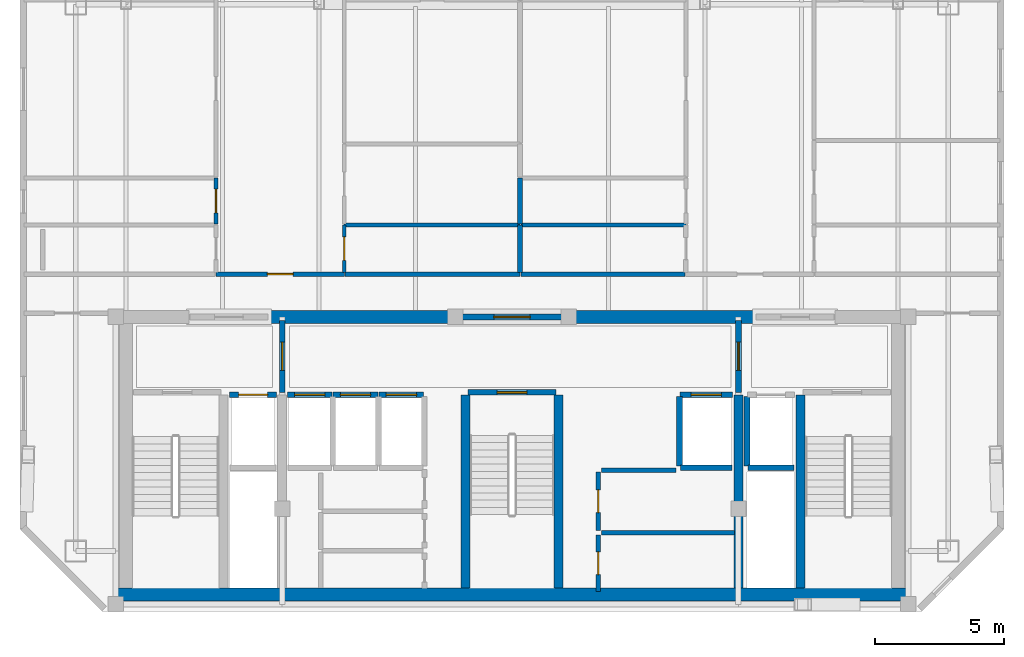
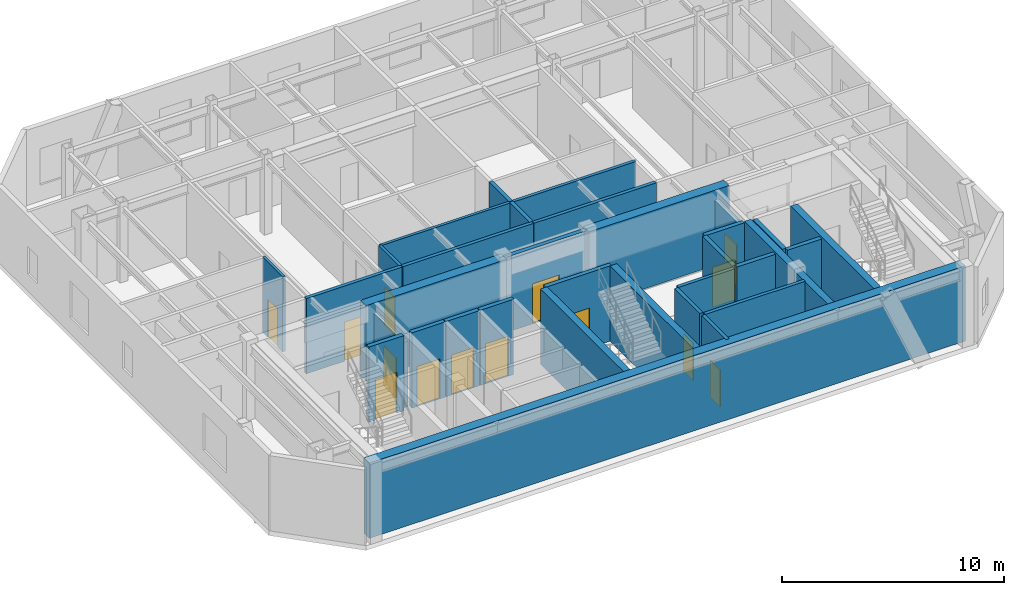
# One storey, part 3 of 7: 33 walls, 14 doors, 14 openings.
"""IFC4 building model written with IfcOpenShell, lengths in metres."""

from ifc_helpers import new_model, si_unit, direction, frame, frame_2d, origin, place, context, subcontext, project, spatial, rectangle, extrude, material, layer, layer_set, type_object, element, fill, save


model = new_model("IFC4")

# Units and contexts
model_context = context("Model", 3, precision=1e-05, world=origin(), true_north=direction((0.0, 1.0)))
body_context = subcontext(model_context, "Body", "Model", "MODEL_VIEW")
ifc_project = project(units=[si_unit("LENGTHUNIT", "METRE"), si_unit("AREAUNIT", "SQUARE_METRE"), si_unit("VOLUMEUNIT", "CUBIC_METRE"), si_unit("PLANEANGLEUNIT", "RADIAN"), si_unit("MASSUNIT", "GRAM", prefix="KILO")], contexts=[model_context])

# Site, building, storey
site_placement = place(None, origin())
site = spatial("IfcSite", under=ifc_project, at=site_placement, CompositionType="ELEMENT")
building_placement = place(site_placement, origin())
building = spatial("IfcBuilding", under=site, at=building_placement, Name="Ventersveld Concourse Tower", CompositionType="ELEMENT")
storey_placement = place(building_placement, frame((0.0, 0.0, 353.449951171875)))
storey = spatial("IfcBuildingStorey", under=building, at=storey_placement, Name="L87", CompositionType="ELEMENT", Elevation=353.449951171875)

# Walls
ifc_material_1 = material(Name="Concrete C50/60", Category="concrete")
ifc_layer_1 = layer(ifc_material_1, 0.35009765625)
ifc_layer_set_1 = layer_set([ifc_layer_1], Name="Concrete C50/60")
wall_type_1 = type_object("IfcWallType", Name="WL-CORE-350U", PredefinedType="SHEAR", material=ifc_layer_set_1)
for number, where, z_axis, x_axis, name in (
    (1, (26.93994140625, 0.919921875, 0.0), (0.0, 0.0, 1.0), (0.0, 1.0, 0.0), "L87 Core Internal Shear Web W-ST3-W"),
    (2, (30.56005859375, 0.919921875, 0.0), (0.0, 0.0, 1.0), (0.0, 1.0, 0.0), "L87 Core Internal Shear Web W-ST3-E"),
    (3, (37.550048828125, 0.919921875, 0.0), (0.0, 0.0, 1.0), (0.0, 1.0, 0.0), "L87 Core Internal Shear Web W-SVL-W"),
    (4, (39.9599609375, 0.919921875, 0.0), (0.0, 0.0, 1.0), (0.0, 1.0, 0.0), "L87 Core Internal Shear Web W-ST2-W"),
):
    element("IfcWall", number, at=place(storey_placement, frame(where, z_axis=z_axis, x_axis=x_axis)), inside=storey, type_object=wall_type_1, Name=name, PredefinedType="SHEAR", context=body_context, shape_type="SweptSolid", body=[
        extrude(rectangle(XDim=7.5, YDim=0.35009765625, at=frame_2d((3.75, 0.0))), origin(), (0.0, 0.0, 1.0), 4.14013671875),
    ])
ifc_layer_2 = layer(ifc_material_1, 0.5)
ifc_layer_set_2 = layer_set([ifc_layer_2], Name="Concrete C50/60")
wall_type_2 = type_object("IfcWallType", Name="WL-CORE-500", PredefinedType="SHEAR", material=ifc_layer_set_2)
wall_1_placement = place(storey_placement, frame((13.25, 0.669921875, 0.0), z_axis=(0.0, 0.0, 1.0), x_axis=(1.0, 0.0, 0.0)))
element("IfcWall", 5, at=wall_1_placement, inside=storey, type_object=wall_type_2, Name="L87 Rear Core South Shear Wall", PredefinedType="SHEAR", context=body_context, shape_type="SweptSolid", body=[
    extrude(rectangle(XDim=31.0, YDim=0.5, at=frame_2d((15.5, 0.0))), origin(), (0.0, 0.0, 1.0), 4.14013671875),
])
for number, where, z_axis, x_axis, name in (
    (6, (19.300048828125, 11.449951171875, 0.0), (0.0, 0.0, 1.0), (1.0, 0.0, 0.0), "L87 Rear Core North Shear Wall NML"),
    (7, (30.89990234375, 11.449951171875, 0.0), (0.0, 0.0, 1.0), (1.0, 0.0, 0.0), "L87 Rear Core North Shear Wall NMR"),
):
    element("IfcWall", number, at=place(storey_placement, frame(where, z_axis=z_axis, x_axis=x_axis)), inside=storey, type_object=wall_type_2, Name=name, PredefinedType="SHEAR", context=body_context, shape_type="SweptSolid", body=[
        extrude(rectangle(XDim=7.300048828125, YDim=0.5, at=frame_2d((3.64990234375, 0.0))), origin(), (0.0, 0.0, 1.0), 4.14013671875),
    ])

# Wall, opening, door
ifc_material_2 = material(Name="Fire-rated autoclaved aerated masonry blockwork", Category="masonry")
ifc_layer_3 = layer(ifc_material_2, 0.179931640625)
ifc_layer_set_3 = layer_set([ifc_layer_3], Name="Fire-rated autoclaved aerated masonry blockwork")
wall_type_3 = type_object("IfcWallType", Name="WL-CORR-180", PredefinedType="PARTITIONING", material=ifc_layer_set_3)
wall_2_placement = place(storey_placement, frame((32.10009765625, 0.780029296875, 0.0), z_axis=(0.0, 0.0, 1.0), x_axis=(0.0, 1.0, 0.0)))
wall_2 = element("IfcWall", 8, at=wall_2_placement, inside=storey, type_object=wall_type_3, Name="L87 Core Passage Wall SP-L87-RECB2S", PredefinedType="PARTITIONING", context=body_context, shape_type="SweptSolid", body=[
    extrude(rectangle(XDim=2.199951171875, YDim=0.179931640625, at=frame_2d((1.10009765625, 0.0))), origin(), (0.0, 0.0, 1.0), 4.14013671875),
])
opening_1_placement = place(wall_2_placement, frame((0.659912109375, 0.0, 0.0)))
opening_1 = element("IfcOpeningElement", 9, at=opening_1_placement, cuts=wall_2, Name="Opening FD5", PredefinedType="OPENING", context=body_context, shape_type="SweptSolid", body=[
    extrude(rectangle(XDim=0.8798828125, YDim=2.050048828125, at=frame_2d((0.43994140625, 1.02490234375))), frame((0.0, 0.10009765625, 0.0), z_axis=(0.0, -1.0, 0.0), x_axis=(1.0, 0.0, 0.0)), (0.0, 0.0, 1.0), 0.199951171875),
])
ifc_material_3 = material(Name="Galvanised painted steel", Category="steel")
door_type_1 = type_object("IfcDoorType", Name="DR-RISER-088", OperationType="NOTDEFINED", PredefinedType="DOOR", material=ifc_material_3)
door_1_placement = place(opening_1_placement, origin())
door_1 = element("IfcDoor", 10, at=door_1_placement, inside=storey, type_object=door_type_1, Name="L87 Core Room Door L87 Reclaimed Core Quiet Library Pod (CD-L87-3875)", OperationType="SINGLE_SWING_RIGHT", OverallHeight=2.050048828125, OverallWidth=0.8798828125, PredefinedType="DOOR", context=body_context, shape_type="SweptSolid", body=[
    extrude(rectangle(XDim=0.8798828125, YDim=2.050048828125, at=frame_2d((0.43994140625, 1.02490234375))), frame((0.0, 0.02490234375, 0.0), z_axis=(0.0, -1.0, 0.0), x_axis=(1.0, 0.0, 0.0)), (0.0, 0.0, 1.0), 0.050048828125),
])
fill(opening_1, door_1)

# Wall
wall_3_placement = place(storey_placement, frame((32.219970703125, 3.06005859375, 0.0), z_axis=(0.0, 0.0, 1.0), x_axis=(1.0, 0.0, 0.0)))
element("IfcWall", 11, at=wall_3_placement, inside=storey, type_object=wall_type_3, Name="L87 Core Top Wall SP-L87-RECB2S", PredefinedType="PARTITIONING", context=body_context, shape_type="SweptSolid", body=[
    extrude(rectangle(XDim=5.179931640625, YDim=0.179931640625, at=frame_2d((2.58984375, 0.0))), origin(), (0.0, 0.0, 1.0), 4.14013671875),
])

# Wall, opening, door
wall_4_placement = place(storey_placement, frame((32.10009765625, 3.159912109375, 0.0), z_axis=(0.0, 0.0, 1.0), x_axis=(0.0, 1.0, 0.0)))
wall_4 = element("IfcWall", 12, at=wall_4_placement, inside=storey, type_object=wall_type_3, Name="L87 Core Passage Wall SP-L87-RECB2N", PredefinedType="PARTITIONING", context=body_context, shape_type="SweptSolid", body=[
    extrude(rectangle(XDim=2.260009765625, YDim=0.179931640625, at=frame_2d((1.1298828125, 0.0))), origin(), (0.0, 0.0, 1.0), 4.14013671875),
])
opening_2_placement = place(wall_4_placement, frame((0.68994140625, 0.0, 0.0)))
opening_2 = element("IfcOpeningElement", 13, at=opening_2_placement, cuts=wall_4, Name="Opening FD5", PredefinedType="OPENING", context=body_context, shape_type="SweptSolid", body=[
    extrude(rectangle(XDim=0.8798828125, YDim=2.050048828125, at=frame_2d((0.43994140625, 1.02490234375))), frame((0.0, 0.10009765625, 0.0), z_axis=(0.0, -1.0, 0.0), x_axis=(1.0, 0.0, 0.0)), (0.0, 0.0, 1.0), 0.199951171875),
])
door_2_placement = place(opening_2_placement, origin())
door_2 = element("IfcDoor", 14, at=door_2_placement, inside=storey, type_object=door_type_1, Name="L87 Core Room Door L87 Reclaimed Core Music Practice Room (CD-L87-3876)", OperationType="SINGLE_SWING_LEFT", OverallHeight=2.050048828125, OverallWidth=0.8798828125, PredefinedType="DOOR", context=body_context, shape_type="SweptSolid", body=[
    extrude(rectangle(XDim=0.8798828125, YDim=2.050048828125, at=frame_2d((0.43994140625, 1.02490234375))), frame((0.0, 0.02490234375, 0.0), z_axis=(0.0, -1.0, 0.0), x_axis=(1.0, 0.0, 0.0)), (0.0, 0.0, 1.0), 0.050048828125),
])
fill(opening_2, door_2)

# Wall
wall_5_placement = place(storey_placement, frame((32.219970703125, 5.5, 0.0), z_axis=(0.0, 0.0, 1.0), x_axis=(1.0, 0.0, 0.0)))
element("IfcWall", 15, at=wall_5_placement, inside=storey, type_object=wall_type_3, Name="L87 Core Top Wall SP-L87-RECB2N", PredefinedType="PARTITIONING", context=body_context, shape_type="SweptSolid", body=[
    extrude(rectangle(XDim=2.900146484375, YDim=0.179931640625, at=frame_2d((1.4501953125, 0.0))), origin(), (0.0, 0.0, 1.0), 4.14013671875),
])

# Wall, opening, door
wall_6_placement = place(storey_placement, frame((17.24755859375, 13.114990234375, 0.0), z_axis=(0.0, 0.0, 1.0), x_axis=(1.0, 0.0, 0.0)))
wall_6 = element("IfcWall", 16, at=wall_6_placement, inside=storey, type_object=wall_type_3, Name="L87 Interior Partition SP-L87-COR-SP-L87-87N1-LIV", PredefinedType="PARTITIONING", context=body_context, shape_type="SweptSolid", body=[
    extrude(rectangle(XDim=4.989990234375, YDim=0.179931640625, at=frame_2d((2.4951171875, 0.0))), origin(), (0.0, 0.0, 1.0), 4.14013671875),
])
opening_3_placement = place(wall_6_placement, frame((1.9951171875, 0.0, 0.0)))
opening_3 = element("IfcOpeningElement", 17, at=opening_3_placement, cuts=wall_6, Name="Opening FD3", PredefinedType="OPENING", context=body_context, shape_type="SweptSolid", body=[
    extrude(rectangle(XDim=1.0, YDim=2.14990234375, at=frame_2d((0.5, 1.074951171875))), frame((0.0, 0.10009765625, 0.0), z_axis=(0.0, -1.0, 0.0), x_axis=(1.0, 0.0, 0.0)), (0.0, 0.0, 1.0), 0.199951171875),
])
ifc_material_4 = material(Name="Solid-core hardwood veneer timber", Category="wood")
door_type_2 = type_object("IfcDoorType", Name="DR-FLAT-100", OperationType="NOTDEFINED", PredefinedType="DOOR", material=ifc_material_4)
door_3_placement = place(opening_3_placement, origin())
door_3 = element("IfcDoor", 18, at=door_3_placement, inside=storey, type_object=door_type_2, Name="L87 Interior Door SP-L87-COR to SP-L87-87N1-LIV (FD-L87-3879)", OperationType="SINGLE_SWING_LEFT", OverallHeight=2.14990234375, OverallWidth=1.0, PredefinedType="DOOR", context=body_context, shape_type="SweptSolid", body=[
    extrude(rectangle(XDim=1.0, YDim=2.14990234375, at=frame_2d((0.5, 1.074951171875))), frame((0.0, 0.02490234375, 0.0), z_axis=(0.0, -1.0, 0.0), x_axis=(1.0, 0.0, 0.0)), (0.0, 0.0, 1.0), 0.050048828125),
])
fill(opening_3, door_3)

# Walls
wall_7_placement = place(storey_placement, frame((22.267578125, 13.114990234375, 0.0), z_axis=(0.0, 0.0, 1.0), x_axis=(1.0, 0.0, 0.0)))
element("IfcWall", 19, at=wall_7_placement, inside=storey, type_object=wall_type_3, Name="L87 Interior Partition SP-L87-COR-SP-L87-87N1-KIT", PredefinedType="PARTITIONING", context=body_context, shape_type="SweptSolid", body=[
    extrude(rectangle(XDim=6.799560546875, YDim=0.179931640625, at=frame_2d((3.39990234375, 0.0))), origin(), (0.0, 0.0, 1.0), 4.14013671875),
])
wall_8_placement = place(storey_placement, frame((29.09716796875, 13.114990234375, 0.0), z_axis=(0.0, 0.0, 1.0), x_axis=(1.0, 0.0, 0.0)))
element("IfcWall", 20, at=wall_8_placement, inside=storey, type_object=wall_type_3, Name="L87 Interior Partition SP-L87-COR-SP-L87-87N2-BATH", PredefinedType="PARTITIONING", context=body_context, shape_type="SweptSolid", body=[
    extrude(rectangle(XDim=6.373291015625, YDim=0.179931640625, at=frame_2d((3.1865234375, 0.0))), origin(), (0.0, 0.0, 1.0), 4.14013671875),
])
ifc_layer_4 = layer(ifc_material_2, 0.199951171875)
ifc_layer_set_4 = layer_set([ifc_layer_4], Name="Fire-rated autoclaved aerated masonry blockwork")
wall_type_4 = type_object("IfcWallType", Name="WL-DEMISE-200", PredefinedType="PARTITIONING", material=ifc_layer_set_4)
wall_9_placement = place(storey_placement, frame((29.06201171875, 13.18505859375, 0.0), z_axis=(0.0, 0.0, 1.0), x_axis=(0.0, 1.0, 0.0)))
element("IfcWall", 21, at=wall_9_placement, inside=storey, type_object=wall_type_4, Name="L87 Interior Partition SP-L87-87N1-KIT-SP-L87-87N2-BATH", PredefinedType="PARTITIONING", context=body_context, shape_type="SweptSolid", body=[
    extrude(rectangle(XDim=1.83984375, YDim=0.199951171875, at=frame_2d((0.919921875, 0.0))), origin(), (0.0, 0.0, 1.0), 4.14013671875),
])
wall_10_placement = place(storey_placement, frame((29.06201171875, 15.054931640625, 0.0), z_axis=(0.0, 0.0, 1.0), x_axis=(0.0, 1.0, 0.0)))
element("IfcWall", 22, at=wall_10_placement, inside=storey, type_object=wall_type_4, Name="L87 Interior Partition SP-L87-87N1-MEDR1-SP-L87-87N2-PANL0", PredefinedType="PARTITIONING", context=body_context, shape_type="SweptSolid", body=[
    extrude(rectangle(XDim=1.800048828125, YDim=0.199951171875, at=frame_2d((0.89990234375, 0.0))), origin(), (0.0, 0.0, 1.0), 4.14013671875),
])

# Wall, opening, door
ifc_layer_5 = layer(ifc_material_2, 0.219970703125)
ifc_layer_set_5 = layer_set([ifc_layer_5], Name="Fire-rated autoclaved aerated masonry blockwork")
wall_type_5 = type_object("IfcWallType", Name="WL-HOIST-220", PredefinedType="SOLIDWALL", material=ifc_layer_set_5)
wall_11_placement = place(storey_placement, frame((17.780029296875, 8.429931640625, 0.0), z_axis=(0.0, 0.0, 1.0), x_axis=(1.0, 0.0, 0.0)))
wall_11 = element("IfcWall", 23, at=wall_11_placement, inside=storey, type_object=wall_type_5, Name="L87 Lift Hoistway Front Wall FFL-01", PredefinedType="SOLIDWALL", context=body_context, shape_type="SweptSolid", body=[
    extrude(rectangle(XDim=1.820068359375, YDim=0.219970703125, at=frame_2d((0.91015625, 0.0))), origin(), (0.0, 0.0, 1.0), 4.14013671875),
])
opening_4_placement = place(wall_11_placement, frame((0.35009765625, 0.0, 0.0)))
opening_4 = element("IfcOpeningElement", 24, at=opening_4_placement, cuts=wall_11, Name="Opening LD1", PredefinedType="OPENING", context=body_context, shape_type="SweptSolid", body=[
    extrude(rectangle(XDim=1.1201171875, YDim=2.25, at=frame_2d((0.56005859375, 1.125))), frame((0.0, 0.1201171875, 0.0), z_axis=(0.0, -1.0, 0.0), x_axis=(1.0, 0.0, 0.0)), (0.0, 0.0, 1.0), 0.239990234375),
])
ifc_material_5 = material(Name="Brushed stainless steel 316", Category="steel")
door_type_3 = type_object("IfcDoorType", Name="LD-FF-112", OperationType="SLIDING_TO_LEFT", PredefinedType="DOOR", material=ifc_material_5)
door_4_placement = place(opening_4_placement, origin())
door_4 = element("IfcDoor", 25, at=door_4_placement, inside=storey, type_object=door_type_3, Name="L87 Lift landing door FFL-01 (LD-L87-FFL-01)", OperationType="SLIDING_TO_RIGHT", OverallHeight=2.25, OverallWidth=1.1201171875, PredefinedType="DOOR", context=body_context, shape_type="SweptSolid", body=[
    extrude(rectangle(XDim=1.1201171875, YDim=2.25, at=frame_2d((0.56005859375, 1.125))), frame((0.0, 0.02490234375, 0.0), z_axis=(0.0, -1.0, 0.0), x_axis=(1.0, 0.0, 0.0)), (0.0, 0.0, 1.0), 0.050048828125),
])
fill(opening_4, door_4)

# Walls
wall_12_placement = place(storey_placement, frame((37.919921875, 5.590087890625, 0.0), z_axis=(0.0, 0.0, 1.0), x_axis=(1.0, 0.0, 0.0)))
element("IfcWall", 26, at=wall_12_placement, inside=storey, type_object=wall_type_5, Name="L87 Lift Hoistway Back Wall FFL-02", PredefinedType="SOLIDWALL", context=body_context, shape_type="SweptSolid", body=[
    extrude(rectangle(XDim=1.780029296875, YDim=0.219970703125, at=frame_2d((0.89013671875, 0.0))), origin(), (0.0, 0.0, 1.0), 4.14013671875),
])
wall_13_placement = place(storey_placement, frame((37.8798828125, 5.64990234375, 0.0), z_axis=(0.0, 0.0, 1.0), x_axis=(0.0, 1.0, 0.0)))
element("IfcWall", 27, at=wall_13_placement, inside=storey, type_object=wall_type_5, Name="L87 Lift Hoistway Side Wall FFL-02W", PredefinedType="SOLIDWALL", context=body_context, shape_type="SweptSolid", body=[
    extrude(rectangle(XDim=2.7001953125, YDim=0.219970703125, at=frame_2d((1.35009765625, 0.0))), origin(), (0.0, 0.0, 1.0), 4.14013671875),
])
wall_14_placement = place(storey_placement, frame((35.300048828125, 5.590087890625, 0.0), z_axis=(0.0, 0.0, 1.0), x_axis=(1.0, 0.0, 0.0)))
element("IfcWall", 28, at=wall_14_placement, inside=storey, type_object=wall_type_5, Name="L87 Lift Hoistway Back Wall SVL-01", PredefinedType="SOLIDWALL", context=body_context, shape_type="SweptSolid", body=[
    extrude(rectangle(XDim=2.0, YDim=0.219970703125, at=frame_2d((1.0, 0.0))), origin(), (0.0, 0.0, 1.0), 4.14013671875),
])
wall_15_placement = place(storey_placement, frame((35.260009765625, 5.64990234375, 0.0), z_axis=(0.0, 0.0, 1.0), x_axis=(0.0, 1.0, 0.0)))
element("IfcWall", 29, at=wall_15_placement, inside=storey, type_object=wall_type_5, Name="L87 Lift Hoistway Side Wall SVL-01W", PredefinedType="SOLIDWALL", context=body_context, shape_type="SweptSolid", body=[
    extrude(rectangle(XDim=2.7001953125, YDim=0.219970703125, at=frame_2d((1.35009765625, 0.0))), origin(), (0.0, 0.0, 1.0), 4.14013671875),
])

# Wall, opening, door
wall_16_placement = place(storey_placement, frame((35.280029296875, 8.429931640625, 0.0), z_axis=(0.0, 0.0, 1.0), x_axis=(1.0, 0.0, 0.0)))
wall_16 = element("IfcWall", 30, at=wall_16_placement, inside=storey, type_object=wall_type_5, Name="L87 Lift Hoistway Front Wall SVL-01", PredefinedType="SOLIDWALL", context=body_context, shape_type="SweptSolid", body=[
    extrude(rectangle(XDim=2.0400390625, YDim=0.219970703125, at=frame_2d((1.02001953125, 0.0))), origin(), (0.0, 0.0, 1.0), 4.14013671875),
])
opening_5_placement = place(wall_16_placement, frame((0.429931640625, 0.0, 0.0)))
opening_5 = element("IfcOpeningElement", 31, at=opening_5_placement, cuts=wall_16, Name="Opening LD2", PredefinedType="OPENING", context=body_context, shape_type="SweptSolid", body=[
    extrude(rectangle(XDim=1.179931640625, YDim=2.199951171875, at=frame_2d((0.58984375, 1.10009765625))), frame((0.0, 0.1201171875, 0.0), z_axis=(0.0, -1.0, 0.0), x_axis=(1.0, 0.0, 0.0)), (0.0, 0.0, 1.0), 0.239990234375),
])
door_type_4 = type_object("IfcDoorType", Name="LD-PAX-118", OperationType="SLIDING_TO_LEFT", PredefinedType="DOOR", material=ifc_material_5)
door_5_placement = place(opening_5_placement, origin())
door_5 = element("IfcDoor", 32, at=door_5_placement, inside=storey, type_object=door_type_4, Name="L87 Lift landing door SVL-01 (LD-L87-SVL-01)", OperationType="SLIDING_TO_RIGHT", OverallHeight=2.199951171875, OverallWidth=1.179931640625, PredefinedType="DOOR", context=body_context, shape_type="SweptSolid", body=[
    extrude(rectangle(XDim=1.179931640625, YDim=2.199951171875, at=frame_2d((0.58984375, 1.10009765625))), frame((0.0, 0.02490234375, 0.0), z_axis=(0.0, -1.0, 0.0), x_axis=(1.0, 0.0, 0.0)), (0.0, 0.0, 1.0), 0.050048828125),
])
fill(opening_5, door_5)

wall_17_placement = place(storey_placement, frame((20.02001953125, 8.429931640625, 0.0), z_axis=(0.0, 0.0, 1.0), x_axis=(1.0, 0.0, 0.0)))
wall_17 = element("IfcWall", 33, at=wall_17_placement, inside=storey, type_object=wall_type_5, Name="L87 Lift Hoistway Front Wall PH-01", PredefinedType="SOLIDWALL", context=body_context, shape_type="SweptSolid", body=[
    extrude(rectangle(XDim=1.739990234375, YDim=0.219970703125, at=frame_2d((0.8701171875, 0.0))), origin(), (0.0, 0.0, 1.0), 4.14013671875),
])
opening_6_placement = place(wall_17_placement, frame((0.280029296875, 0.0, 0.0)))
opening_6 = element("IfcOpeningElement", 34, at=opening_6_placement, cuts=wall_17, Name="Opening LD2", PredefinedType="OPENING", context=body_context, shape_type="SweptSolid", body=[
    extrude(rectangle(XDim=1.179931640625, YDim=2.199951171875, at=frame_2d((0.58984375, 1.10009765625))), frame((0.0, 0.1201171875, 0.0), z_axis=(0.0, -1.0, 0.0), x_axis=(1.0, 0.0, 0.0)), (0.0, 0.0, 1.0), 0.239990234375),
])
door_6_placement = place(opening_6_placement, origin())
door_6 = element("IfcDoor", 35, at=door_6_placement, inside=storey, type_object=door_type_4, Name="L87 Lift landing door PH-01 (LD-L87-PH-01)", OperationType="SLIDING_TO_LEFT", OverallHeight=2.199951171875, OverallWidth=1.179931640625, PredefinedType="DOOR", context=body_context, shape_type="SweptSolid", body=[
    extrude(rectangle(XDim=1.179931640625, YDim=2.199951171875, at=frame_2d((0.58984375, 1.10009765625))), frame((0.0, 0.02490234375, 0.0), z_axis=(0.0, -1.0, 0.0), x_axis=(1.0, 0.0, 0.0)), (0.0, 0.0, 1.0), 0.050048828125),
])
fill(opening_6, door_6)

wall_18_placement = place(storey_placement, frame((21.800048828125, 8.429931640625, 0.0), z_axis=(0.0, 0.0, 1.0), x_axis=(1.0, 0.0, 0.0)))
wall_18 = element("IfcWall", 36, at=wall_18_placement, inside=storey, type_object=wall_type_5, Name="L87 Lift Hoistway Front Wall PH-02", PredefinedType="SOLIDWALL", context=body_context, shape_type="SweptSolid", body=[
    extrude(rectangle(XDim=1.739990234375, YDim=0.219970703125, at=frame_2d((0.8701171875, 0.0))), origin(), (0.0, 0.0, 1.0), 4.14013671875),
])
opening_7_placement = place(wall_18_placement, frame((0.280029296875, 0.0, 0.0)))
opening_7 = element("IfcOpeningElement", 37, at=opening_7_placement, cuts=wall_18, Name="Opening LD2", PredefinedType="OPENING", context=body_context, shape_type="SweptSolid", body=[
    extrude(rectangle(XDim=1.179931640625, YDim=2.199951171875, at=frame_2d((0.58984375, 1.10009765625))), frame((0.0, 0.1201171875, 0.0), z_axis=(0.0, -1.0, 0.0), x_axis=(1.0, 0.0, 0.0)), (0.0, 0.0, 1.0), 0.239990234375),
])
door_7_placement = place(opening_7_placement, origin())
door_7 = element("IfcDoor", 38, at=door_7_placement, inside=storey, type_object=door_type_4, Name="L87 Lift landing door PH-02 (LD-L87-PH-02)", OperationType="SLIDING_TO_RIGHT", OverallHeight=2.199951171875, OverallWidth=1.179931640625, PredefinedType="DOOR", context=body_context, shape_type="SweptSolid", body=[
    extrude(rectangle(XDim=1.179931640625, YDim=2.199951171875, at=frame_2d((0.58984375, 1.10009765625))), frame((0.0, 0.02490234375, 0.0), z_axis=(0.0, -1.0, 0.0), x_axis=(1.0, 0.0, 0.0)), (0.0, 0.0, 1.0), 0.050048828125),
])
fill(opening_7, door_7)

wall_19_placement = place(storey_placement, frame((23.580078125, 8.429931640625, 0.0), z_axis=(0.0, 0.0, 1.0), x_axis=(1.0, 0.0, 0.0)))
wall_19 = element("IfcWall", 39, at=wall_19_placement, inside=storey, type_object=wall_type_5, Name="L87 Lift Hoistway Front Wall PH-03", PredefinedType="SOLIDWALL", context=body_context, shape_type="SweptSolid", body=[
    extrude(rectangle(XDim=1.739990234375, YDim=0.219970703125, at=frame_2d((0.8701171875, 0.0))), origin(), (0.0, 0.0, 1.0), 4.14013671875),
])
opening_8_placement = place(wall_19_placement, frame((0.280029296875, 0.0, 0.0)))
opening_8 = element("IfcOpeningElement", 40, at=opening_8_placement, cuts=wall_19, Name="Opening LD2", PredefinedType="OPENING", context=body_context, shape_type="SweptSolid", body=[
    extrude(rectangle(XDim=1.179931640625, YDim=2.199951171875, at=frame_2d((0.58984375, 1.10009765625))), frame((0.0, 0.1201171875, 0.0), z_axis=(0.0, -1.0, 0.0), x_axis=(1.0, 0.0, 0.0)), (0.0, 0.0, 1.0), 0.239990234375),
])
door_8_placement = place(opening_8_placement, origin())
door_8 = element("IfcDoor", 41, at=door_8_placement, inside=storey, type_object=door_type_4, Name="L87 Lift landing door PH-03 (LD-L87-PH-03)", OperationType="SLIDING_TO_LEFT", OverallHeight=2.199951171875, OverallWidth=1.179931640625, PredefinedType="DOOR", context=body_context, shape_type="SweptSolid", body=[
    extrude(rectangle(XDim=1.179931640625, YDim=2.199951171875, at=frame_2d((0.58984375, 1.10009765625))), frame((0.0, 0.02490234375, 0.0), z_axis=(0.0, -1.0, 0.0), x_axis=(1.0, 0.0, 0.0)), (0.0, 0.0, 1.0), 0.050048828125),
])
fill(opening_8, door_8)

wall_20_placement = place(storey_placement, frame((27.0400390625, 8.52001953125, 0.0), z_axis=(0.0, 0.0, 1.0), x_axis=(1.0, 0.0, 0.0)))
wall_20 = element("IfcWall", 42, at=wall_20_placement, inside=storey, type_object=wall_type_5, Name="L87 Escape Stair ST03 Fire Wall", PredefinedType="SOLIDWALL", context=body_context, shape_type="SweptSolid", body=[
    extrude(rectangle(XDim=3.419921875, YDim=0.219970703125, at=frame_2d((1.7099609375, 0.0))), origin(), (0.0, 0.0, 1.0), 4.14013671875),
])
opening_9_placement = place(wall_20_placement, frame((1.135009765625, 0.0, 0.0)))
opening_9 = element("IfcOpeningElement", 43, at=opening_9_placement, cuts=wall_20, Name="Opening FD1", PredefinedType="OPENING", context=body_context, shape_type="SweptSolid", body=[
    extrude(rectangle(XDim=1.14990234375, YDim=2.199951171875, at=frame_2d((0.574951171875, 1.10009765625))), frame((0.0, 0.1201171875, 0.0), z_axis=(0.0, -1.0, 0.0), x_axis=(1.0, 0.0, 0.0)), (0.0, 0.0, 1.0), 0.239990234375),
])
door_type_5 = type_object("IfcDoorType", Name="DR-STAIR-115", OperationType="NOTDEFINED", PredefinedType="DOOR", material=ifc_material_3)
door_9_placement = place(opening_9_placement, origin())
door_9 = element("IfcDoor", 44, at=door_9_placement, inside=storey, type_object=door_type_5, Name="L87 Escape Stair Door ST03 (SD-L87-3866)", OperationType="SINGLE_SWING_LEFT", OverallHeight=2.199951171875, OverallWidth=1.14990234375, PredefinedType="DOOR", context=body_context, shape_type="SweptSolid", body=[
    extrude(rectangle(XDim=1.14990234375, YDim=2.199951171875, at=frame_2d((0.574951171875, 1.10009765625))), frame((0.0, 0.02490234375, 0.0), z_axis=(0.0, -1.0, 0.0), x_axis=(1.0, 0.0, 0.0)), (0.0, 0.0, 1.0), 0.050048828125),
])
fill(opening_9, door_9)

wall_21_placement = place(storey_placement, frame((19.820068359375, 8.52001953125, 0.0), z_axis=(0.0, 0.0, 1.0), x_axis=(0.0, 1.0, 0.0)))
wall_21 = element("IfcWall", 45, at=wall_21_placement, inside=storey, type_object=wall_type_5, Name="L87 Firefighting Lobby Smoke-Stop Wall FFLW-SEP", PredefinedType="SOLIDWALL", context=body_context, shape_type="SweptSolid", body=[
    extrude(rectangle(XDim=2.800048828125, YDim=0.219970703125, at=frame_2d((1.39990234375, 0.0))), origin(), (0.0, 0.0, 1.0), 3.595458984375),
])
opening_10_placement = place(wall_21_placement, frame((0.85009765625, 0.0, 0.0)))
opening_10 = element("IfcOpeningElement", 46, at=opening_10_placement, cuts=wall_21, Name="Opening FD2", PredefinedType="OPENING", context=body_context, shape_type="SweptSolid", body=[
    extrude(rectangle(XDim=1.10009765625, YDim=2.199951171875, at=frame_2d((0.550048828125, 1.10009765625))), frame((0.0, 0.1201171875, 0.0), z_axis=(0.0, -1.0, 0.0), x_axis=(1.0, 0.0, 0.0)), (0.0, 0.0, 1.0), 0.239990234375),
])
door_type_6 = type_object("IfcDoorType", Name="DR-FFL-110", OperationType="NOTDEFINED", PredefinedType="DOOR", material=ifc_material_3)
door_10_placement = place(opening_10_placement, origin())
door_10 = element("IfcDoor", 47, at=door_10_placement, inside=storey, type_object=door_type_6, Name="L87 Firefighting Lobby Door FFLW-SEP (FD-L87-3867)", OperationType="SINGLE_SWING_LEFT", OverallHeight=2.199951171875, OverallWidth=1.10009765625, PredefinedType="DOOR", context=body_context, shape_type="SweptSolid", body=[
    extrude(rectangle(XDim=1.10009765625, YDim=2.199951171875, at=frame_2d((0.550048828125, 1.10009765625))), frame((0.0, 0.02490234375, 0.0), z_axis=(0.0, -1.0, 0.0), x_axis=(1.0, 0.0, 0.0)), (0.0, 0.0, 1.0), 0.050048828125),
])
fill(opening_10, door_10)

wall_22_placement = place(storey_placement, frame((37.550048828125, 8.52001953125, 0.0), z_axis=(0.0, 0.0, 1.0), x_axis=(0.0, 1.0, 0.0)))
wall_22 = element("IfcWall", 48, at=wall_22_placement, inside=storey, type_object=wall_type_5, Name="L87 Firefighting Lobby Smoke-Stop Wall FFLE-SEP", PredefinedType="SOLIDWALL", context=body_context, shape_type="SweptSolid", body=[
    extrude(rectangle(XDim=2.800048828125, YDim=0.219970703125, at=frame_2d((1.39990234375, 0.0))), origin(), (0.0, 0.0, 1.0), 3.595458984375),
])
opening_11_placement = place(wall_22_placement, frame((0.85009765625, 0.0, 0.0)))
opening_11 = element("IfcOpeningElement", 49, at=opening_11_placement, cuts=wall_22, Name="Opening FD2", PredefinedType="OPENING", context=body_context, shape_type="SweptSolid", body=[
    extrude(rectangle(XDim=1.10009765625, YDim=2.199951171875, at=frame_2d((0.550048828125, 1.10009765625))), frame((0.0, 0.1201171875, 0.0), z_axis=(0.0, -1.0, 0.0), x_axis=(1.0, 0.0, 0.0)), (0.0, 0.0, 1.0), 0.239990234375),
])
door_11_placement = place(opening_11_placement, origin())
door_11 = element("IfcDoor", 50, at=door_11_placement, inside=storey, type_object=door_type_6, Name="L87 Firefighting Lobby Door FFLE-SEP (FD-L87-3868)", OperationType="SINGLE_SWING_RIGHT", OverallHeight=2.199951171875, OverallWidth=1.10009765625, PredefinedType="DOOR", context=body_context, shape_type="SweptSolid", body=[
    extrude(rectangle(XDim=1.10009765625, YDim=2.199951171875, at=frame_2d((0.550048828125, 1.10009765625))), frame((0.0, 0.02490234375, 0.0), z_axis=(0.0, -1.0, 0.0), x_axis=(1.0, 0.0, 0.0)), (0.0, 0.0, 1.0), 0.050048828125),
])
fill(opening_11, door_11)

wall_23_placement = place(storey_placement, frame((26.6298828125, 11.449951171875, 0.0), z_axis=(0.0, 0.0, 1.0), x_axis=(1.0, 0.0, 0.0)))
wall_23 = element("IfcWall", 51, at=wall_23_placement, inside=storey, type_object=wall_type_5, Name="L87 Core North Fire Portal PLOB-OUT", PredefinedType="SOLIDWALL", context=body_context, shape_type="SweptSolid", body=[
    extrude(rectangle(XDim=4.240234375, YDim=0.219970703125, at=frame_2d((2.1201171875, 0.0))), origin(), (0.0, 0.0, 1.0), 4.14013671875),
])
opening_12_placement = place(wall_23_placement, frame((1.419921875, 0.0, 0.0)))
opening_12 = element("IfcOpeningElement", 52, at=opening_12_placement, cuts=wall_23, Name="Opening FD4", PredefinedType="OPENING", context=body_context, shape_type="SweptSolid", body=[
    extrude(rectangle(XDim=1.39990234375, YDim=2.199951171875, at=frame_2d((0.699951171875, 1.10009765625))), frame((0.0, 0.1201171875, 0.0), z_axis=(0.0, -1.0, 0.0), x_axis=(1.0, 0.0, 0.0)), (0.0, 0.0, 1.0), 0.239990234375),
])
door_type_7 = type_object("IfcDoorType", Name="DR-PLANT-140", OperationType="DOUBLE_DOOR_SINGLE_SWING", PredefinedType="DOOR", material=ifc_material_3)
door_12_placement = place(opening_12_placement, origin())
door_12 = element("IfcDoor", 53, at=door_12_placement, inside=storey, type_object=door_type_7, Name="L87 Core Lobby Fire Door PLOB-OUT (FD-L87-3870)", OperationType="DOUBLE_DOOR_SINGLE_SWING", OverallHeight=2.199951171875, OverallWidth=1.39990234375, PredefinedType="DOOR", context=body_context, shape_type="SweptSolid", body=[
    extrude(rectangle(XDim=1.39990234375, YDim=2.199951171875, at=frame_2d((0.699951171875, 1.10009765625))), frame((0.0, 0.02490234375, 0.0), z_axis=(0.0, -1.0, 0.0), x_axis=(1.0, 0.0, 0.0)), (0.0, 0.0, 1.0), 0.050048828125),
])
fill(opening_12, door_12)

ifc_material_6 = material(Name="Autoclaved aerated masonry blockwork", Category="masonry")
ifc_layer_6 = layer(ifc_material_6, 0.14990234375)
ifc_layer_set_6 = layer_set([ifc_layer_6], Name="Autoclaved aerated masonry blockwork")
wall_type_6 = type_object("IfcWallType", Name="WL-INT-150", PredefinedType="PARTITIONING", material=ifc_layer_set_6)
wall_24_placement = place(storey_placement, frame((17.25244140625, 15.054931640625, 0.0), z_axis=(0.0, 0.0, 1.0), x_axis=(0.0, 1.0, 0.0)))
wall_24 = element("IfcWall", 54, at=wall_24_placement, inside=storey, type_object=wall_type_6, Name="L87 Interior Partition SP-L87-87N1-LIV-SP-L87-87N1-PANL0", PredefinedType="PARTITIONING", context=body_context, shape_type="SweptSolid", body=[
    extrude(rectangle(XDim=1.800048828125, YDim=0.14990234375, at=frame_2d((0.89990234375, 0.0))), origin(), (0.0, 0.0, 1.0), 4.14013671875),
])
opening_13_placement = place(wall_24_placement, frame((0.43994140625, 0.0, 0.0)))
opening_13 = element("IfcOpeningElement", 55, at=opening_13_placement, cuts=wall_24, Name="Opening ID1", PredefinedType="OPENING", context=body_context, shape_type="SweptSolid", body=[
    extrude(rectangle(XDim=0.919921875, YDim=2.10009765625, at=frame_2d((0.4599609375, 1.050048828125))), frame((0.0, 0.0849609375, 0.0), z_axis=(0.0, -1.0, 0.0), x_axis=(1.0, 0.0, 0.0)), (0.0, 0.0, 1.0), 0.169921875),
])
door_type_8 = type_object("IfcDoorType", Name="DR-ROOM-092", OperationType="NOTDEFINED", PredefinedType="DOOR", material=ifc_material_4)
door_13_placement = place(opening_13_placement, origin())
door_13 = element("IfcDoor", 56, at=door_13_placement, inside=storey, type_object=door_type_8, Name="L87 Interior Door SP-L87-87N1-LIV to SP-L87-87N1-PANL0 (D-L87-3882)", OperationType="SINGLE_SWING_RIGHT", OverallHeight=2.10009765625, OverallWidth=0.919921875, PredefinedType="DOOR", context=body_context, shape_type="SweptSolid", body=[
    extrude(rectangle(XDim=0.919921875, YDim=2.10009765625, at=frame_2d((0.4599609375, 1.050048828125))), frame((0.0, 0.02490234375, 0.0), z_axis=(0.0, -1.0, 0.0), x_axis=(1.0, 0.0, 0.0)), (0.0, 0.0, 1.0), 0.050048828125),
])
fill(opening_13, door_13)

wall_25_placement = place(storey_placement, frame((22.232421875, 13.18505859375, 0.0), z_axis=(0.0, 0.0, 1.0), x_axis=(0.0, 1.0, 0.0)))
wall_25 = element("IfcWall", 57, at=wall_25_placement, inside=storey, type_object=wall_type_6, Name="L87 Interior Partition SP-L87-87N1-LIV-SP-L87-87N1-KIT", PredefinedType="PARTITIONING", context=body_context, shape_type="SweptSolid", body=[
    extrude(rectangle(XDim=1.83984375, YDim=0.14990234375, at=frame_2d((0.919921875, 0.0))), origin(), (0.0, 0.0, 1.0), 4.14013671875),
])
opening_14_placement = place(wall_25_placement, frame((0.4599609375, 0.0, 0.0)))
opening_14 = element("IfcOpeningElement", 58, at=opening_14_placement, cuts=wall_25, Name="Opening ID1", PredefinedType="OPENING", context=body_context, shape_type="SweptSolid", body=[
    extrude(rectangle(XDim=0.919921875, YDim=2.10009765625, at=frame_2d((0.4599609375, 1.050048828125))), frame((0.0, 0.0849609375, 0.0), z_axis=(0.0, -1.0, 0.0), x_axis=(1.0, 0.0, 0.0)), (0.0, 0.0, 1.0), 0.169921875),
])
door_14_placement = place(opening_14_placement, origin())
door_14 = element("IfcDoor", 59, at=door_14_placement, inside=storey, type_object=door_type_8, Name="L87 Interior Door SP-L87-87N1-LIV to SP-L87-87N1-KIT (D-L87-3884)", OperationType="SINGLE_SWING_RIGHT", OverallHeight=2.10009765625, OverallWidth=0.919921875, PredefinedType="DOOR", context=body_context, shape_type="SweptSolid", body=[
    extrude(rectangle(XDim=0.919921875, YDim=2.10009765625, at=frame_2d((0.4599609375, 1.050048828125))), frame((0.0, 0.02490234375, 0.0), z_axis=(0.0, -1.0, 0.0), x_axis=(1.0, 0.0, 0.0)), (0.0, 0.0, 1.0), 0.050048828125),
])
fill(opening_14, door_14)

# Walls
wall_26_placement = place(storey_placement, frame((22.2275390625, 15.02001953125, 0.0), z_axis=(0.0, 0.0, 1.0), x_axis=(1.0, 0.0, 0.0)))
element("IfcWall", 60, at=wall_26_placement, inside=storey, type_object=wall_type_6, Name="L87 Interior Partition SP-L87-87N1-KIT-SP-L87-87N1-MEDR1", PredefinedType="PARTITIONING", context=body_context, shape_type="SweptSolid", body=[
    extrude(rectangle(XDim=6.839599609375, YDim=0.14990234375, at=frame_2d((3.419921875, 0.0))), origin(), (0.0, 0.0, 1.0), 4.14013671875),
])
ifc_layer_7 = layer(ifc_material_6, 0.1650390625)
ifc_layer_set_7 = layer_set([ifc_layer_7], Name="Autoclaved aerated masonry blockwork")
wall_type_7 = type_object("IfcWallType", Name="WL-WET-165", PredefinedType="PLUMBINGWALL", material=ifc_layer_set_7)
wall_27_placement = place(storey_placement, frame((29.09716796875, 15.02001953125, 0.0), z_axis=(0.0, 0.0, 1.0), x_axis=(1.0, 0.0, 0.0)))
element("IfcWall", 61, at=wall_27_placement, inside=storey, type_object=wall_type_7, Name="L87 Interior Partition SP-L87-87N2-BATH-SP-L87-87N2-PANL0", PredefinedType="PLUMBINGWALL", context=body_context, shape_type="SweptSolid", body=[
    extrude(rectangle(XDim=6.413330078125, YDim=0.1650390625, at=frame_2d((3.20654296875, 0.0))), origin(), (0.0, 0.0, 1.0), 4.14013671875),
])

save(model, "model.ifc")
